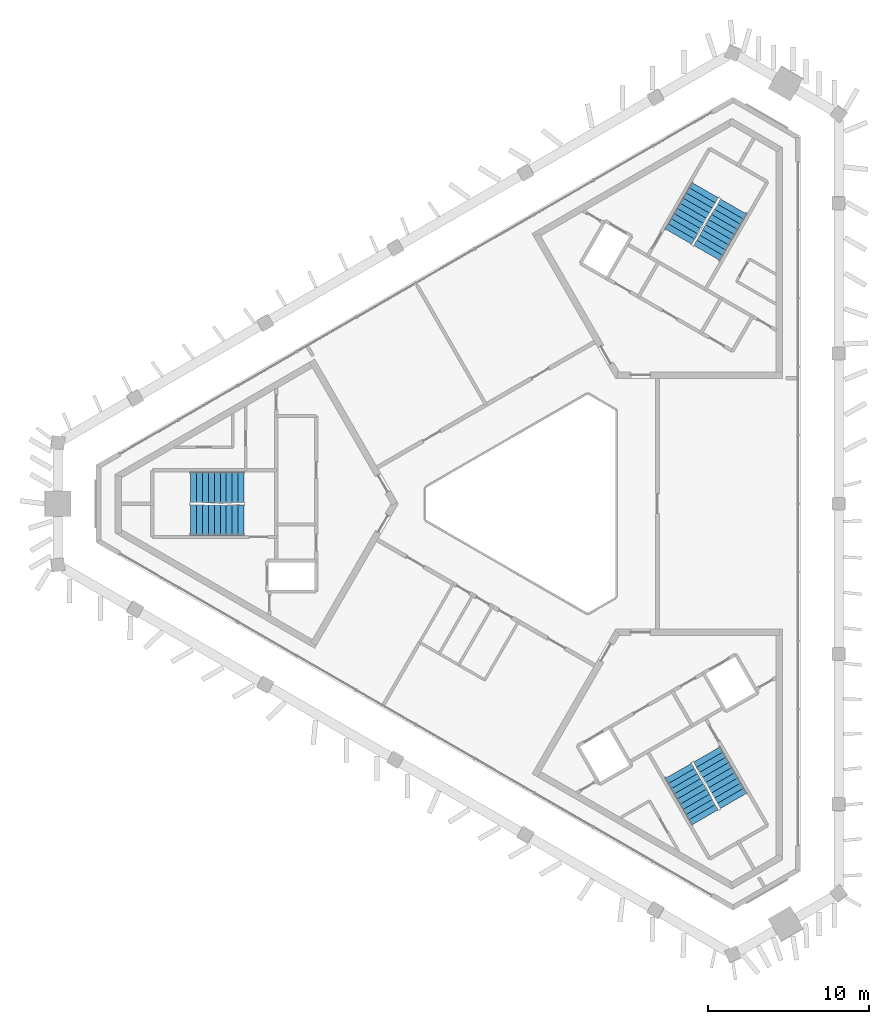
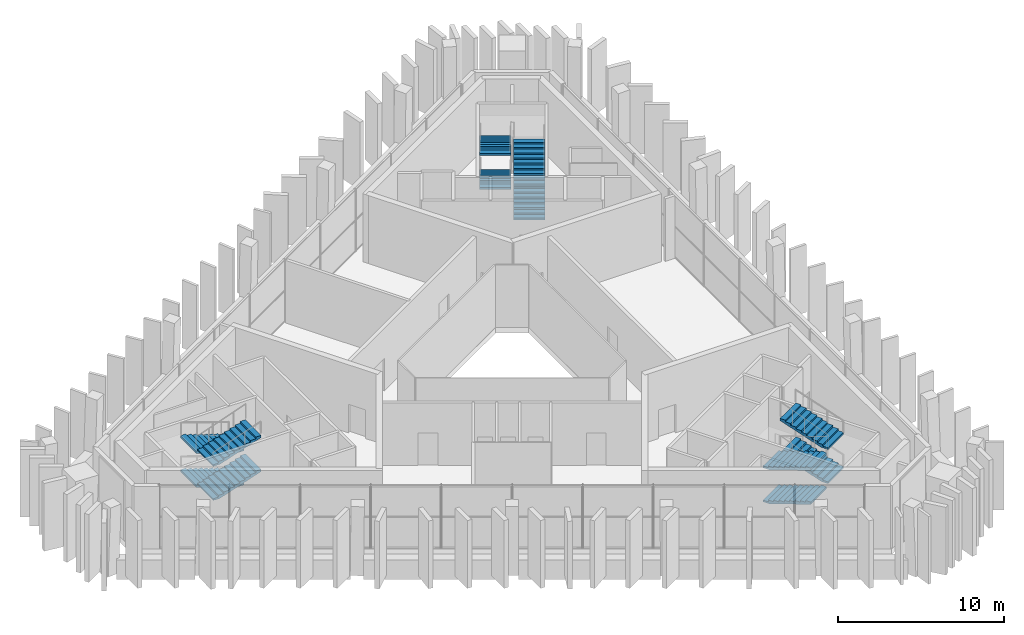
# One storey, part 11 of 13: 12 stair flights, 3 elements without a shape of their own.
"""IFC4 building model written with IfcOpenShell, lengths in metres."""

import ifcopenshell
import ifcopenshell.guid

model = None  # the IFC model being written
_history = None  # IfcOwnerHistory: only IFC2X3 demands one
_inside = {}  # id of a spatial element -> (the spatial element, [elements in it])
_under = {}  # id of a project, library or spatial element -> (it, [spatial elements below it])
_declared = {}  # id of a project -> (the project, [libraries it declares])
_typed = {}  # id of a type object -> (the type object, [elements of that type])
_made_of = {}  # id of a material, layer set ... -> (it, [elements and type objects made of it])


def new_model(schema):
    """Start an empty IFC model of exactly this schema.

    Asked for "IFC4X3", IfcOpenShell would pick the latest addendum, in which some entities
    have other attributes; the version numbers below select the first issue.
    IFC2X3 requires an IfcOwnerHistory on every rooted entity: one is made here for all.
    """
    global model, _history
    if schema == "IFC4X3":
        model = ifcopenshell.file(schema_version=(4, 3, 0, 0))
    else:
        model = ifcopenshell.file(schema=schema)
    _inside.clear()
    _under.clear()
    _declared.clear()
    _typed.clear()
    _made_of.clear()
    _history = None
    if model.schema == "IFC2X3":
        org = make("IfcOrganization", Name="unknown")
        user = make(
            "IfcPersonAndOrganization",
            ThePerson=make("IfcPerson", FamilyName="unknown"),
            TheOrganization=org,
        )
        app = make(
            "IfcApplication",
            ApplicationDeveloper=org,
            Version="unknown",
            ApplicationFullName="unknown",
            ApplicationIdentifier="unknown",
        )
        _history = make(
            "IfcOwnerHistory",
            OwningUser=user,
            OwningApplication=app,
            ChangeAction="ADDED",
            CreationDate=0,
        )
    return model


def make(cls, **values):
    """One entity of the class cls with the attributes given. An attribute that is None is left unset."""
    return model.create_entity(
        cls, **{name: value for name, value in values.items() if value is not None}
    )


def rooted(cls, **values):
    """An entity with a GlobalId (a new one), such as an element, a storey or a relation."""
    return make(cls, GlobalId=ifcopenshell.guid.new(), OwnerHistory=_history, **values)


def si_unit(unit_type, name, prefix=None):
    """IfcSIUnit, for example si_unit("LENGTHUNIT", "METRE", prefix="MILLI")."""
    return make("IfcSIUnit", UnitType=unit_type, Prefix=prefix, Name=name)


def assignment(units):
    """IfcUnitAssignment: the units of a project."""
    return None if units is None else make("IfcUnitAssignment", Units=units)


def point(xyz):
    """IfcCartesianPoint."""
    return None if xyz is None else make("IfcCartesianPoint", Coordinates=xyz)


def direction(xyz):
    """IfcDirection."""
    return None if xyz is None else make("IfcDirection", DirectionRatios=xyz)


def frame(location, z_axis=None, x_axis=None):
    """IfcAxis2Placement3D, a coordinate frame: its origin and axes. An axis left out is left unset."""
    return make(
        "IfcAxis2Placement3D",
        Location=point(location),
        Axis=direction(z_axis),
        RefDirection=direction(x_axis),
    )


def origin():
    """The frame at (0, 0, 0) with its axes left unset."""
    return frame((0.0, 0.0, 0.0))


def place(relative_to, where):
    """IfcLocalPlacement: puts the frame where relative to a parent placement (None: the world)."""
    return make(
        "IfcLocalPlacement", PlacementRelTo=relative_to, RelativePlacement=where
    )


def context(
    kind, dimensions, precision=None, world=None, true_north=None, identifier=None
):
    """IfcGeometricRepresentationContext, for example the 3D "Model" context."""
    return make(
        "IfcGeometricRepresentationContext",
        ContextIdentifier=identifier,
        ContextType=kind,
        CoordinateSpaceDimension=dimensions,
        Precision=precision,
        WorldCoordinateSystem=world,
        TrueNorth=true_north,
    )


def subcontext(parent, identifier, kind, view, scale=None):
    """IfcGeometricRepresentationSubContext, for example "Body" below "Model"."""
    return make(
        "IfcGeometricRepresentationSubContext",
        ContextIdentifier=identifier,
        ContextType=kind,
        ParentContext=parent,
        TargetScale=scale,
        TargetView=view,
    )


def project(units=None, contexts=None):
    """IfcProject with its units and contexts."""
    return rooted(
        "IfcProject",
        Name="project",
        RepresentationContexts=contexts,
        UnitsInContext=assignment(units),
    )


def spatial(cls, under=None, at=None, **own):
    """A site, building, storey or space (cls), placed at a placement, below another one or the project."""
    s = rooted(cls, ObjectPlacement=at, **own)
    if under is not None:
        _under.setdefault(under.id(), (under, []))[1].append(s)
    return s


def polyline(points):
    """IfcPolyline through the points."""
    return make("IfcPolyline", Points=[point(p) for p in points])


def outline(outer, holes=None, kind="AREA"):
    """IfcArbitraryClosedProfileDef: a profile drawn as a closed curve; with holes, ...WithVoids."""
    if holes is None:
        return make("IfcArbitraryClosedProfileDef", ProfileType=kind, OuterCurve=outer)
    return make(
        "IfcArbitraryProfileDefWithVoids",
        ProfileType=kind,
        OuterCurve=outer,
        InnerCurves=holes,
    )


def extrude(swept, where, along, depth):
    """IfcExtrudedAreaSolid: the profile swept, set in the frame where, extruded along a direction by depth."""
    return make(
        "IfcExtrudedAreaSolid",
        SweptArea=swept,
        Position=where,
        ExtrudedDirection=direction(along),
        Depth=depth,
    )


def shape(context_of_items, identifier, shape_type, items):
    """IfcShapeRepresentation: the items that make up one representation, for example the "Body"."""
    return make(
        "IfcShapeRepresentation",
        ContextOfItems=context_of_items,
        RepresentationIdentifier=identifier,
        RepresentationType=shape_type,
        Items=items,
    )


def material(Name=None, Category=None):
    """IfcMaterial."""
    return make("IfcMaterial", Name=Name, Category=Category)


def made_of(thing, what):
    """Note that an element or type object is made of a material, layer set ...; save() writes the relation."""
    if what is not None:
        _made_of.setdefault(what.id(), (what, []))[1].append(thing)
    return thing


def type_object(cls, material=None, **own):
    """A type object (cls), such as IfcWallType, which elements share."""
    return made_of(rooted(cls, **own), material)


def element(
    cls,
    number,
    at=None,
    inside=None,
    cuts=None,
    type_object=None,
    material=None,
    context=None,
    identifier="Body",
    shape_type=None,
    held_by="IfcProductDefinitionShape",
    body=None,
    shapes=None,
    **own,
):
    """One element of the class cls, such as IfcWall. Its Tag is "e" and its number.

    at: its placement. inside: the storey or other place that contains it. cuts: it is an
    opening in that element (IfcRelVoidsElement). A single representation is given by context,
    identifier, shape_type and body (its items); several are given by shapes. held_by: the class
    of the entity that holds the representations. save() writes the other relations.
    """
    e = rooted(cls, Tag="e%d" % number, ObjectPlacement=at, **own)
    if body is not None:
        shapes = [shape(context, identifier, shape_type, body)]
    if shapes is not None:
        e.Representation = make(held_by, Representations=shapes)
    if inside is not None:
        _inside.setdefault(inside.id(), (inside, []))[1].append(e)
    if cuts is not None:
        rooted(
            "IfcRelVoidsElement", RelatingBuildingElement=cuts, RelatedOpeningElement=e
        )
    if type_object is not None:
        _typed.setdefault(type_object.id(), (type_object, []))[1].append(e)
    return made_of(e, material)


def aggregate(whole, parts):
    """IfcRelAggregates: a whole, such as a stair, and the parts it consists of."""
    return rooted("IfcRelAggregates", RelatingObject=whole, RelatedObjects=parts)


def save(model, path):
    """Write the relations noted so far, then the file.

    IfcRelAggregates (storeys below a building ...), IfcRelContainedInSpatialStructure (elements
    in a storey), IfcRelDefinesByType, IfcRelAssociatesMaterial and IfcRelDeclares: one each for
    every whole, place, type object, material and project.
    """
    for whole, parts in _under.values():
        aggregate(whole, parts)
    for where, things in _inside.values():
        rooted(
            "IfcRelContainedInSpatialStructure",
            RelatedElements=things,
            RelatingStructure=where,
        )
    for kind, things in _typed.values():
        rooted("IfcRelDefinesByType", RelatedObjects=things, RelatingType=kind)
    for what, things in _made_of.values():
        rooted("IfcRelAssociatesMaterial", RelatedObjects=things, RelatingMaterial=what)
    for by, libraries in _declared.values():
        rooted("IfcRelDeclares", RelatingContext=by, RelatedDefinitions=libraries)
    model.write(path)


model = new_model("IFC4")

# Units and contexts
model_context = context("Model", 3, precision=1e-05, world=origin(), true_north=direction((0.0, 1.0)))
body_context = subcontext(model_context, "Body", "Model", "MODEL_VIEW")
ifc_project = project(units=[si_unit("LENGTHUNIT", "METRE"), si_unit("AREAUNIT", "SQUARE_METRE"), si_unit("VOLUMEUNIT", "CUBIC_METRE"), si_unit("PLANEANGLEUNIT", "RADIAN"), si_unit("MASSUNIT", "GRAM", prefix="KILO")], contexts=[model_context])

# Site, building, storey
site_placement = place(None, origin())
site = spatial("IfcSite", under=ifc_project, at=site_placement, CompositionType="ELEMENT")
building_placement = place(site_placement, origin())
building = spatial("IfcBuilding", under=site, at=building_placement, Name="Jabali Bay Hotel Tower and Convention Centre", CompositionType="ELEMENT")
storey_placement = place(building_placement, frame((0.0, 0.0, 310.800048828125)))
storey = spatial("IfcBuildingStorey", under=building, at=storey_placement, Name="L76", CompositionType="ELEMENT", Elevation=310.800048828125)

# Stair, stair flights
ifc_material = material(Name="Concrete C40", Category="concrete")
stair_type = type_object("IfcStairType", Name="Exit stair 1900", PredefinedType="HALF_TURN_STAIR", material=ifc_material)
stair_1_placement = place(storey_placement, origin())
stair_1 = element("IfcStair", 1, at=stair_1_placement, inside=storey, type_object=stair_type, Name="L76 Exit Stair 1", PredefinedType="HALF_TURN_STAIR")
stair_flight_type = type_object("IfcStairFlightType", Name="Stair flight concrete 150", PredefinedType="STRAIGHT", material=ifc_material)
stair_flight_1_placement = place(storey_placement, frame((56.419921875, 81.02490234375, 0.0), z_axis=(0.0, 0.0, 1.0), x_axis=(-1.0, 0.0, 0.0)))
stair_flight_1 = element("IfcStairFlight", 2, at=stair_flight_1_placement, type_object=stair_flight_type, Name="ST1 flight 1", NumberOfRisers=10, NumberOfTreads=9, PredefinedType="STRAIGHT", RiserHeight=0.125, TreadLength=0.37, context=body_context, shape_type="SweptSolid", body=[
    extrude(outline(polyline([(0.0, 0.0), (0.0, 0.125), (0.3701171875, 0.125), (0.3701171875, 0.25), (0.739990234375, 0.25), (0.739990234375, 0.375), (1.110107421875, 0.375), (1.110107421875, 0.5), (1.47998046875, 0.5), (1.47998046875, 0.625), (1.85009765625, 0.625), (1.85009765625, 0.75), (2.219970703125, 0.75), (2.219970703125, 0.875), (2.590087890625, 0.875), (2.590087890625, 1.0), (2.9599609375, 1.0), (2.9599609375, 1.125), (3.330078125, 1.125), (3.330078125, 1.25), (3.330078125, 0.966796875), (0.46826171875, 0.0), (0.0, 0.0)])), frame((0.0, 0.949951171875, 0.0), z_axis=(0.0, -1.0, 0.0), x_axis=(1.0, 0.0, 0.0)), (0.0, 0.0, 1.0), 1.89990234375),
])
stair_flight_2_placement = place(storey_placement, frame((53.090087890625, 78.97509765625, 1.25), z_axis=(0.0, 0.0, 1.0), x_axis=(1.0, 0.0, 0.0)))
stair_flight_2 = element("IfcStairFlight", 3, at=stair_flight_2_placement, type_object=stair_flight_type, Name="ST1 flight 2", NumberOfRisers=10, NumberOfTreads=9, PredefinedType="STRAIGHT", RiserHeight=0.125, TreadLength=0.37, context=body_context, shape_type="SweptSolid", body=[
    extrude(outline(polyline([(0.0, 0.0), (0.0, 0.125), (0.3701171875, 0.125), (0.3701171875, 0.25), (0.739990234375, 0.25), (0.739990234375, 0.375), (1.110107421875, 0.375), (1.110107421875, 0.5), (1.47998046875, 0.5), (1.47998046875, 0.625), (1.85009765625, 0.625), (1.85009765625, 0.75), (2.219970703125, 0.75), (2.219970703125, 0.875), (2.590087890625, 0.875), (2.590087890625, 1.0), (2.9599609375, 1.0), (2.9599609375, 1.125), (3.330078125, 1.125), (3.330078125, 1.25), (3.330078125, 0.966796875), (0.46826171875, 0.0), (0.0, 0.0)])), frame((0.0, 0.949951171875, 0.0), z_axis=(0.0, -1.0, 0.0), x_axis=(1.0, 0.0, 0.0)), (0.0, 0.0, 1.0), 1.89990234375),
])
stair_flight_3_placement = place(storey_placement, frame((56.419921875, 81.02490234375, 2.5), z_axis=(0.0, 0.0, 1.0), x_axis=(-1.0, 0.0, 0.0)))
stair_flight_3 = element("IfcStairFlight", 4, at=stair_flight_3_placement, type_object=stair_flight_type, Name="ST1 flight 3", NumberOfRisers=10, NumberOfTreads=9, PredefinedType="STRAIGHT", RiserHeight=0.125, TreadLength=0.37, context=body_context, shape_type="SweptSolid", body=[
    extrude(outline(polyline([(0.0, 0.0), (0.0, 0.125), (0.3701171875, 0.125), (0.3701171875, 0.25), (0.739990234375, 0.25), (0.739990234375, 0.375), (1.110107421875, 0.375), (1.110107421875, 0.5), (1.47998046875, 0.5), (1.47998046875, 0.625), (1.85009765625, 0.625), (1.85009765625, 0.75), (2.219970703125, 0.75), (2.219970703125, 0.875), (2.590087890625, 0.875), (2.590087890625, 1.0), (2.9599609375, 1.0), (2.9599609375, 1.125), (3.330078125, 1.125), (3.330078125, 1.25), (3.330078125, 0.966796875), (0.46826171875, 0.0), (0.0, 0.0)])), frame((0.0, 0.949951171875, 0.0), z_axis=(0.0, -1.0, 0.0), x_axis=(1.0, 0.0, 0.0)), (0.0, 0.0, 1.0), 1.89990234375),
])
stair_flight_4_placement = place(storey_placement, frame((53.090087890625, 78.97509765625, 3.75), z_axis=(0.0, 0.0, 1.0), x_axis=(1.0, 0.0, 0.0)))
stair_flight_4 = element("IfcStairFlight", 5, at=stair_flight_4_placement, type_object=stair_flight_type, Name="ST1 flight 4", NumberOfRisers=10, NumberOfTreads=9, PredefinedType="STRAIGHT", RiserHeight=0.125, TreadLength=0.37, context=body_context, shape_type="SweptSolid", body=[
    extrude(outline(polyline([(0.0, 0.0), (0.0, 0.125), (0.3701171875, 0.125), (0.3701171875, 0.25), (0.739990234375, 0.25), (0.739990234375, 0.375), (1.110107421875, 0.375), (1.110107421875, 0.5), (1.47998046875, 0.5), (1.47998046875, 0.625), (1.85009765625, 0.625), (1.85009765625, 0.75), (2.219970703125, 0.75), (2.219970703125, 0.875), (2.590087890625, 0.875), (2.590087890625, 1.0), (2.9599609375, 1.0), (2.9599609375, 1.125), (3.330078125, 1.125), (3.330078125, 1.25), (3.330078125, 0.966796875), (0.46826171875, 0.0), (0.0, 0.0)])), frame((0.0, 0.949951171875, 0.0), z_axis=(0.0, -1.0, 0.0), x_axis=(1.0, 0.0, 0.0)), (0.0, 0.0, 1.0), 1.89990234375),
])
aggregate(stair_1, [stair_flight_1, stair_flight_2, stair_flight_3, stair_flight_4])

stair_2_placement = place(storey_placement, origin())
stair_2 = element("IfcStair", 6, at=stair_2_placement, inside=storey, type_object=stair_type, Name="L76 Exit Stair 2", PredefinedType="HALF_TURN_STAIR")
stair_flight_5_placement = place(storey_placement, frame((85.177734375, 95.578369140625, 0.0), z_axis=(0.0, 0.0, 1.0), x_axis=(0.5, 0.866025403784, 0.0)))
stair_flight_5 = element("IfcStairFlight", 7, at=stair_flight_5_placement, type_object=stair_flight_type, Name="ST2 flight 1", NumberOfRisers=10, NumberOfTreads=9, PredefinedType="STRAIGHT", RiserHeight=0.125, TreadLength=0.37, context=body_context, shape_type="SweptSolid", body=[
    extrude(outline(polyline([(0.0, 0.0), (0.0, 0.125), (0.3701171875, 0.125), (0.3701171875, 0.25), (0.739990234375, 0.25), (0.739990234375, 0.375), (1.110107421875, 0.375), (1.110107421875, 0.5), (1.47998046875, 0.5), (1.47998046875, 0.625), (1.85009765625, 0.625), (1.85009765625, 0.75), (2.219970703125, 0.75), (2.219970703125, 0.875), (2.590087890625, 0.875), (2.590087890625, 1.0), (2.9599609375, 1.0), (2.9599609375, 1.125), (3.330078125, 1.125), (3.330078125, 1.25), (3.330078125, 0.966796875), (0.46826171875, 0.0), (0.0, 0.0)])), frame((0.0, 0.949951171875, 0.0), z_axis=(0.0, -1.0, 0.0), x_axis=(1.0, 0.0, 0.0)), (0.0, 0.0, 1.0), 1.89990234375),
])
stair_flight_6_placement = place(storey_placement, frame((85.0673828125, 99.487060546875, 1.25), z_axis=(0.0, 0.0, 1.0), x_axis=(-0.5, -0.866025403784, 0.0)))
stair_flight_6 = element("IfcStairFlight", 8, at=stair_flight_6_placement, type_object=stair_flight_type, Name="ST2 flight 2", NumberOfRisers=10, NumberOfTreads=9, PredefinedType="STRAIGHT", RiserHeight=0.125, TreadLength=0.37, context=body_context, shape_type="SweptSolid", body=[
    extrude(outline(polyline([(0.0, 0.0), (0.0, 0.125), (0.3701171875, 0.125), (0.3701171875, 0.25), (0.739990234375, 0.25), (0.739990234375, 0.375), (1.110107421875, 0.375), (1.110107421875, 0.5), (1.47998046875, 0.5), (1.47998046875, 0.625), (1.85009765625, 0.625), (1.85009765625, 0.75), (2.219970703125, 0.75), (2.219970703125, 0.875), (2.590087890625, 0.875), (2.590087890625, 1.0), (2.9599609375, 1.0), (2.9599609375, 1.125), (3.330078125, 1.125), (3.330078125, 1.25), (3.330078125, 0.966796875), (0.46826171875, 0.0), (0.0, 0.0)])), frame((0.0, 0.949951171875, 0.0), z_axis=(0.0, -1.0, 0.0), x_axis=(1.0, 0.0, 0.0)), (0.0, 0.0, 1.0), 1.89990234375),
])
stair_flight_7_placement = place(storey_placement, frame((85.177734375, 95.578369140625, 2.5), z_axis=(0.0, 0.0, 1.0), x_axis=(0.5, 0.866025403784, 0.0)))
stair_flight_7 = element("IfcStairFlight", 9, at=stair_flight_7_placement, type_object=stair_flight_type, Name="ST2 flight 3", NumberOfRisers=10, NumberOfTreads=9, PredefinedType="STRAIGHT", RiserHeight=0.125, TreadLength=0.37, context=body_context, shape_type="SweptSolid", body=[
    extrude(outline(polyline([(0.0, 0.0), (0.0, 0.125), (0.3701171875, 0.125), (0.3701171875, 0.25), (0.739990234375, 0.25), (0.739990234375, 0.375), (1.110107421875, 0.375), (1.110107421875, 0.5), (1.47998046875, 0.5), (1.47998046875, 0.625), (1.85009765625, 0.625), (1.85009765625, 0.75), (2.219970703125, 0.75), (2.219970703125, 0.875), (2.590087890625, 0.875), (2.590087890625, 1.0), (2.9599609375, 1.0), (2.9599609375, 1.125), (3.330078125, 1.125), (3.330078125, 1.25), (3.330078125, 0.966796875), (0.46826171875, 0.0), (0.0, 0.0)])), frame((0.0, 0.949951171875, 0.0), z_axis=(0.0, -1.0, 0.0), x_axis=(1.0, 0.0, 0.0)), (0.0, 0.0, 1.0), 1.89990234375),
])
stair_flight_8_placement = place(storey_placement, frame((85.0673828125, 99.487060546875, 3.75), z_axis=(0.0, 0.0, 1.0), x_axis=(-0.5, -0.866025403784, 0.0)))
stair_flight_8 = element("IfcStairFlight", 10, at=stair_flight_8_placement, type_object=stair_flight_type, Name="ST2 flight 4", NumberOfRisers=10, NumberOfTreads=9, PredefinedType="STRAIGHT", RiserHeight=0.125, TreadLength=0.37, context=body_context, shape_type="SweptSolid", body=[
    extrude(outline(polyline([(0.0, 0.0), (0.0, 0.125), (0.3701171875, 0.125), (0.3701171875, 0.25), (0.739990234375, 0.25), (0.739990234375, 0.375), (1.110107421875, 0.375), (1.110107421875, 0.5), (1.47998046875, 0.5), (1.47998046875, 0.625), (1.85009765625, 0.625), (1.85009765625, 0.75), (2.219970703125, 0.75), (2.219970703125, 0.875), (2.590087890625, 0.875), (2.590087890625, 1.0), (2.9599609375, 1.0), (2.9599609375, 1.125), (3.330078125, 1.125), (3.330078125, 1.25), (3.330078125, 0.966796875), (0.46826171875, 0.0), (0.0, 0.0)])), frame((0.0, 0.949951171875, 0.0), z_axis=(0.0, -1.0, 0.0), x_axis=(1.0, 0.0, 0.0)), (0.0, 0.0, 1.0), 1.89990234375),
])
aggregate(stair_2, [stair_flight_5, stair_flight_6, stair_flight_7, stair_flight_8])

stair_3_placement = place(storey_placement, origin())
stair_3 = element("IfcStair", 11, at=stair_3_placement, inside=storey, type_object=stair_type, Name="L76 Exit Stair 3", PredefinedType="HALF_TURN_STAIR")
stair_flight_9_placement = place(storey_placement, frame((83.40234375, 63.396728515625, 0.0), z_axis=(0.0, 0.0, 1.0), x_axis=(0.5, -0.866025403784, 0.0)))
stair_flight_9 = element("IfcStairFlight", 12, at=stair_flight_9_placement, type_object=stair_flight_type, Name="ST3 flight 1", NumberOfRisers=10, NumberOfTreads=9, PredefinedType="STRAIGHT", RiserHeight=0.125, TreadLength=0.37, context=body_context, shape_type="SweptSolid", body=[
    extrude(outline(polyline([(0.0, 0.0), (0.0, 0.125), (0.3701171875, 0.125), (0.3701171875, 0.25), (0.739990234375, 0.25), (0.739990234375, 0.375), (1.110107421875, 0.375), (1.110107421875, 0.5), (1.47998046875, 0.5), (1.47998046875, 0.625), (1.85009765625, 0.625), (1.85009765625, 0.75), (2.219970703125, 0.75), (2.219970703125, 0.875), (2.590087890625, 0.875), (2.590087890625, 1.0), (2.9599609375, 1.0), (2.9599609375, 1.125), (3.330078125, 1.125), (3.330078125, 1.25), (3.330078125, 0.966796875), (0.46826171875, 0.0), (0.0, 0.0)])), frame((0.0, 0.949951171875, 0.0), z_axis=(0.0, -1.0, 0.0), x_axis=(1.0, 0.0, 0.0)), (0.0, 0.0, 1.0), 1.89990234375),
])
stair_flight_10_placement = place(storey_placement, frame((86.8427734375, 61.537841796875, 1.25), z_axis=(0.0, 0.0, 1.0), x_axis=(-0.5, 0.866025403784, 0.0)))
stair_flight_10 = element("IfcStairFlight", 13, at=stair_flight_10_placement, type_object=stair_flight_type, Name="ST3 flight 2", NumberOfRisers=10, NumberOfTreads=9, PredefinedType="STRAIGHT", RiserHeight=0.125, TreadLength=0.37, context=body_context, shape_type="SweptSolid", body=[
    extrude(outline(polyline([(0.0, 0.0), (0.0, 0.125), (0.3701171875, 0.125), (0.3701171875, 0.25), (0.739990234375, 0.25), (0.739990234375, 0.375), (1.110107421875, 0.375), (1.110107421875, 0.5), (1.47998046875, 0.5), (1.47998046875, 0.625), (1.85009765625, 0.625), (1.85009765625, 0.75), (2.219970703125, 0.75), (2.219970703125, 0.875), (2.590087890625, 0.875), (2.590087890625, 1.0), (2.9599609375, 1.0), (2.9599609375, 1.125), (3.330078125, 1.125), (3.330078125, 1.25), (3.330078125, 0.966796875), (0.46826171875, 0.0), (0.0, 0.0)])), frame((0.0, 0.949951171875, 0.0), z_axis=(0.0, -1.0, 0.0), x_axis=(1.0, 0.0, 0.0)), (0.0, 0.0, 1.0), 1.89990234375),
])
stair_flight_11_placement = place(storey_placement, frame((83.40234375, 63.396728515625, 2.5), z_axis=(0.0, 0.0, 1.0), x_axis=(0.5, -0.866025403784, 0.0)))
stair_flight_11 = element("IfcStairFlight", 14, at=stair_flight_11_placement, type_object=stair_flight_type, Name="ST3 flight 3", NumberOfRisers=10, NumberOfTreads=9, PredefinedType="STRAIGHT", RiserHeight=0.125, TreadLength=0.37, context=body_context, shape_type="SweptSolid", body=[
    extrude(outline(polyline([(0.0, 0.0), (0.0, 0.125), (0.3701171875, 0.125), (0.3701171875, 0.25), (0.739990234375, 0.25), (0.739990234375, 0.375), (1.110107421875, 0.375), (1.110107421875, 0.5), (1.47998046875, 0.5), (1.47998046875, 0.625), (1.85009765625, 0.625), (1.85009765625, 0.75), (2.219970703125, 0.75), (2.219970703125, 0.875), (2.590087890625, 0.875), (2.590087890625, 1.0), (2.9599609375, 1.0), (2.9599609375, 1.125), (3.330078125, 1.125), (3.330078125, 1.25), (3.330078125, 0.966796875), (0.46826171875, 0.0), (0.0, 0.0)])), frame((0.0, 0.949951171875, 0.0), z_axis=(0.0, -1.0, 0.0), x_axis=(1.0, 0.0, 0.0)), (0.0, 0.0, 1.0), 1.89990234375),
])
stair_flight_12_placement = place(storey_placement, frame((86.8427734375, 61.537841796875, 3.75), z_axis=(0.0, 0.0, 1.0), x_axis=(-0.5, 0.866025403784, 0.0)))
stair_flight_12 = element("IfcStairFlight", 15, at=stair_flight_12_placement, type_object=stair_flight_type, Name="ST3 flight 4", NumberOfRisers=10, NumberOfTreads=9, PredefinedType="STRAIGHT", RiserHeight=0.125, TreadLength=0.37, context=body_context, shape_type="SweptSolid", body=[
    extrude(outline(polyline([(0.0, 0.0), (0.0, 0.125), (0.3701171875, 0.125), (0.3701171875, 0.25), (0.739990234375, 0.25), (0.739990234375, 0.375), (1.110107421875, 0.375), (1.110107421875, 0.5), (1.47998046875, 0.5), (1.47998046875, 0.625), (1.85009765625, 0.625), (1.85009765625, 0.75), (2.219970703125, 0.75), (2.219970703125, 0.875), (2.590087890625, 0.875), (2.590087890625, 1.0), (2.9599609375, 1.0), (2.9599609375, 1.125), (3.330078125, 1.125), (3.330078125, 1.25), (3.330078125, 0.966796875), (0.46826171875, 0.0), (0.0, 0.0)])), frame((0.0, 0.949951171875, 0.0), z_axis=(0.0, -1.0, 0.0), x_axis=(1.0, 0.0, 0.0)), (0.0, 0.0, 1.0), 1.89990234375),
])
aggregate(stair_3, [stair_flight_9, stair_flight_10, stair_flight_11, stair_flight_12])

save(model, "model.ifc")
